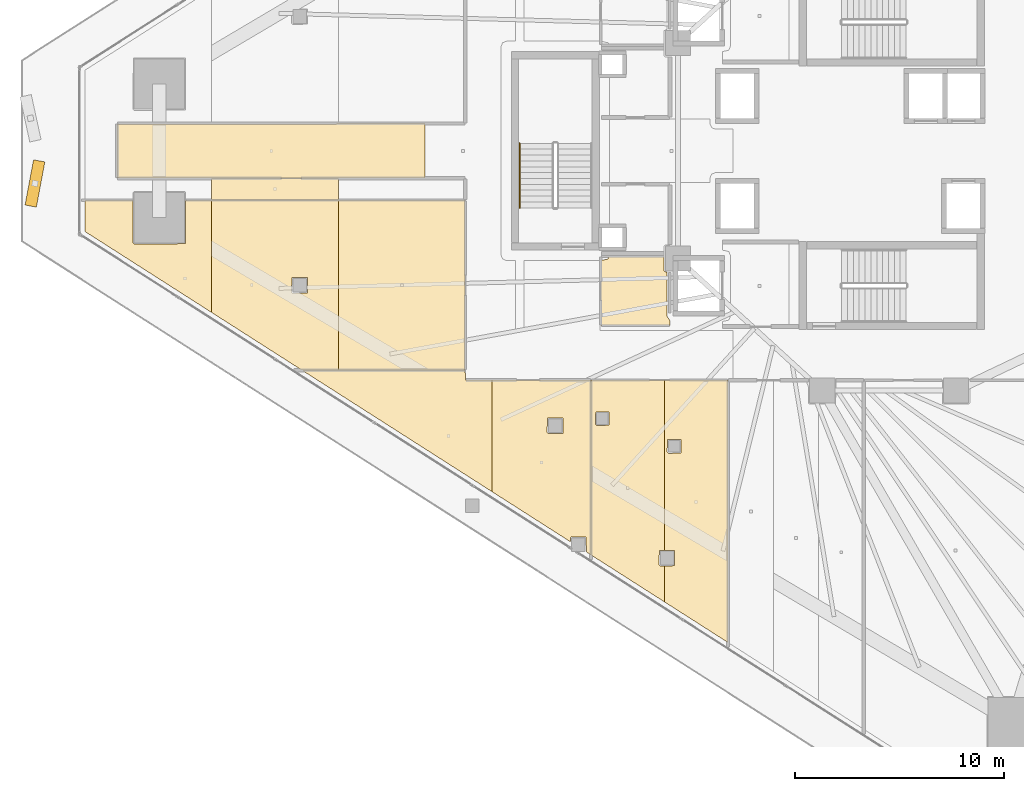
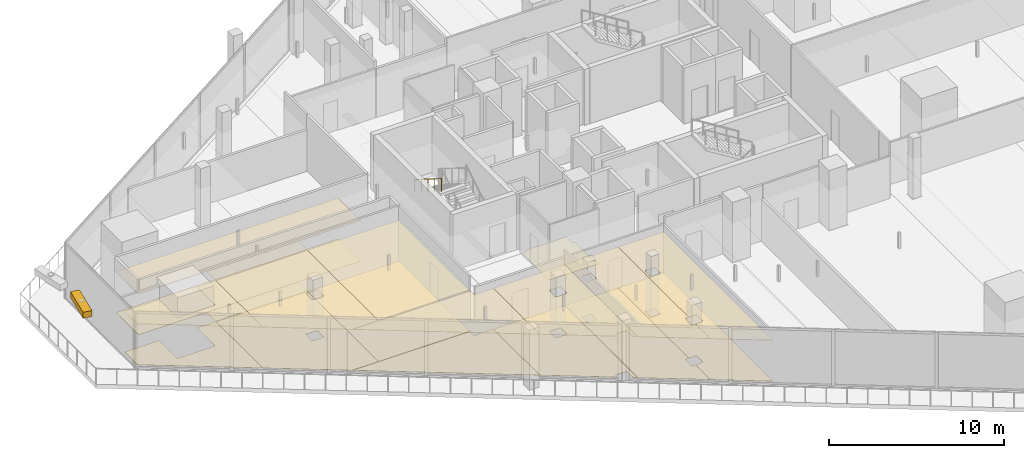
# One storey, part 39 of 47: 19 coverings, 1 railing, 1 shading device.
"""IFC4 building model written with IfcOpenShell, lengths in metres."""

from ifc_helpers import new_model, si_unit, direction, frame, origin, origin_2d, place, context, subcontext, project, spatial, polyline, rectangle, circle, outline, extrude, material, layer, layer_set, type_object, element, save


model = new_model("IFC4")

# Units and contexts
model_context = context("Model", 3, precision=1e-05, world=origin(), true_north=direction((0.0, 1.0)))
body_context = subcontext(model_context, "Body", "Model", "MODEL_VIEW")
ifc_project = project(units=[si_unit("LENGTHUNIT", "METRE"), si_unit("AREAUNIT", "SQUARE_METRE"), si_unit("VOLUMEUNIT", "CUBIC_METRE"), si_unit("PLANEANGLEUNIT", "RADIAN"), si_unit("MASSUNIT", "GRAM", prefix="KILO")], contexts=[model_context])

# Site, building, storey
site_placement = place(None, origin())
site = spatial("IfcSite", under=ifc_project, at=site_placement, CompositionType="ELEMENT")
building_placement = place(site_placement, origin())
building = spatial("IfcBuilding", under=site, at=building_placement, Name="Qorvath Tower", CompositionType="ELEMENT")
storey_placement = place(building_placement, frame((0.0, 0.0, 82.800048828125)))
storey = spatial("IfcBuildingStorey", under=building, at=storey_placement, Name="L18", CompositionType="ELEMENT", Elevation=82.800048828125)

# Coverings
ifc_material_1 = material(Name="Acoustic mineral fibre ceiling tile", Category="gypsum")
ifc_layer_1 = layer(ifc_material_1, 0.030029296875)
ifc_layer_set_1 = layer_set([ifc_layer_1], Name="COV-CEIL")
covering_type_1 = type_object("IfcCoveringType", Name="COV-CEIL", PredefinedType="CEILING", material=ifc_layer_set_1)
covering_1_placement = place(storey_placement, frame((0.0, 0.0, 2.849853515625)))
element("IfcCovering", 1, at=covering_1_placement, inside=storey, type_object=covering_type_1, Name="L18 Suspended Acoustic Ceiling 007", PredefinedType="CEILING", context=body_context, shape_type="SweptSolid", body=[
    extrude(outline(polyline([(-42.577880859375, -1.294921875), (-42.577880859375, 1.29638671875), (-57.289306640625, 1.294921875), (-57.289306640625, -1.294921875), (-42.577880859375, -1.294921875)])), origin(), (0.0, 0.0, 1.0), 0.030029296875),
])
covering_2_placement = place(storey_placement, frame((0.0, 0.0, 2.849853515625)))
element("IfcCovering", 2, at=covering_2_placement, inside=storey, type_object=covering_type_1, Name="L18 Suspended Acoustic Ceiling 019", PredefinedType="CEILING", context=body_context, shape_type="SweptSolid", body=[
    extrude(outline(polyline([(-34.64501953125, -10.962890625), (-34.64501953125, -19.31787109375), (-31.143798828125, -21.5556640625), (-31.143798828125, -19.84033203125), (-31.341064453125, -19.845458984375), (-31.401123046875, -19.785400390625), (-31.383544921875, -19.093017578125), (-31.143798828125, -19.093017578125), (-31.143798828125, -10.962890625), (-34.64501953125, -10.962890625)]), holes=[polyline([(-34.439208984375, -13.0673828125), (-34.421630859375, -12.47509765625), (-33.786865234375, -12.47509765625), (-33.786865234375, -13.10986328125), (-34.379150390625, -13.12744140625), (-34.439208984375, -13.0673828125)])]), origin(), (0.0, 0.0, 1.0), 0.030029296875),
])
covering_3_placement = place(storey_placement, frame((0.0, 0.0, 2.849853515625)))
element("IfcCovering", 3, at=covering_3_placement, inside=storey, type_object=covering_type_1, Name="L18 Suspended Acoustic Ceiling 020", PredefinedType="CEILING", context=body_context, shape_type="SweptSolid", body=[
    extrude(outline(polyline([(-31.143798828125, -10.962890625), (-31.143798828125, -19.093017578125), (-30.648681640625, -19.093017578125), (-30.648681640625, -19.827880859375), (-31.143798828125, -19.84033203125), (-31.143798828125, -21.5556640625), (-28.106689453125, -23.49658203125), (-28.106689453125, -10.962890625), (-31.143798828125, -10.962890625)]), holes=[polyline([(-31.01220703125, -14.3994140625), (-30.99462890625, -13.806884765625), (-30.35986328125, -13.806884765625), (-30.35986328125, -14.441650390625), (-30.9521484375, -14.459228515625), (-31.01220703125, -14.3994140625)])]), origin(), (0.0, 0.0, 1.0), 0.030029296875),
])
covering_4_placement = place(storey_placement, frame((0.0, 0.0, 2.849853515625)))
element("IfcCovering", 4, at=covering_4_placement, inside=storey, type_object=covering_type_1, Name="L18 Suspended Acoustic Ceiling 036", PredefinedType="CEILING", context=body_context, shape_type="SweptSolid", body=[
    extrude(outline(polyline([(-40.6630859375, -10.4990234375), (-48.443359375, -10.4990234375), (-39.3876953125, -16.28662109375), (-39.3876953125, -10.962890625), (-40.657958984375, -10.962890625), (-40.6630859375, -10.4990234375)])), origin(), (0.0, 0.0, 1.0), 0.030029296875),
])
covering_5_placement = place(storey_placement, frame((0.0, 0.0, 2.849853515625)))
element("IfcCovering", 5, at=covering_5_placement, inside=storey, type_object=covering_type_1, Name="L18 Suspended Acoustic Ceiling 037", PredefinedType="CEILING", context=body_context, shape_type="SweptSolid", body=[
    extrude(outline(polyline([(-39.3876953125, -10.962890625), (-39.3876953125, -16.28662109375), (-35.63671875, -18.68408203125), (-35.63671875, -18.50439453125), (-35.57666015625, -18.4443359375), (-34.88427734375, -18.4619140625), (-34.873779296875, -19.171630859375), (-34.6630859375, -19.306396484375), (-34.6630859375, -10.962890625), (-39.3876953125, -10.962890625)]), holes=[polyline([(-36.749755859375, -13.46044921875), (-36.732177734375, -12.76806640625), (-35.997314453125, -12.76806640625), (-35.997314453125, -13.5029296875), (-36.689697265625, -13.5205078125), (-36.749755859375, -13.46044921875)])]), origin(), (0.0, 0.0, 1.0), 0.030029296875),
])
covering_6_placement = place(storey_placement, frame((0.0, 0.0, 2.849853515625)))
element("IfcCovering", 6, at=covering_6_placement, inside=storey, type_object=covering_type_1, Name="L18 Suspended Acoustic Ceiling 038", PredefinedType="CEILING", context=body_context, shape_type="SweptSolid", body=[
    extrude(outline(polyline([(-56.54296875, -4.39453125), (-56.54296875, -2.36474609375), (-58.83935546875, -2.36474609375), (-58.83935546875, -3.8544921875), (-52.780517578125, -7.726806640625), (-52.780517578125, -2.36474609375), (-54.02294921875, -2.36474609375), (-54.04052734375, -4.43701171875), (-56.48291015625, -4.45458984375), (-56.54296875, -4.39453125)])), origin(), (0.0, 0.0, 1.0), 0.030029296875),
])
covering_7_placement = place(storey_placement, frame((0.0, 0.0, 2.849853515625)))
element("IfcCovering", 7, at=covering_7_placement, inside=storey, type_object=covering_type_1, Name="L18 Suspended Acoustic Ceiling 039", PredefinedType="CEILING", context=body_context, shape_type="SweptSolid", body=[
    extrude(outline(polyline([(-52.780517578125, -2.36474609375), (-52.780517578125, -7.726806640625), (-48.471435546875, -10.48095703125), (-46.7216796875, -10.48095703125), (-46.7216796875, -2.36474609375), (-52.780517578125, -2.36474609375)]), holes=[polyline([(-48.96337890625, -6.74951171875), (-48.94580078125, -6.05712890625), (-48.2109375, -6.05712890625), (-48.2109375, -6.7919921875), (-48.9033203125, -6.8095703125), (-48.96337890625, -6.74951171875)])]), origin(), (0.0, 0.0, 1.0), 0.030029296875),
])
covering_8_placement = place(storey_placement, frame((0.0, 0.0, 2.849853515625)))
element("IfcCovering", 8, at=covering_8_placement, inside=storey, type_object=covering_type_1, Name="L18 Suspended Acoustic Ceiling 040", PredefinedType="CEILING", context=body_context, shape_type="SweptSolid", body=[
    extrude(outline(polyline([(-46.7216796875, -2.36474609375), (-46.7216796875, -10.48095703125), (-40.6630859375, -10.48095703125), (-40.6630859375, -2.36474609375), (-46.7216796875, -2.36474609375)])), origin(), (0.0, 0.0, 1.0), 0.030029296875),
])
covering_9_placement = place(storey_placement, frame((0.0, 0.0, 2.849853515625)))
element("IfcCovering", 9, at=covering_9_placement, inside=storey, type_object=covering_type_1, Name="L18 Suspended Acoustic Ceiling 043", PredefinedType="CEILING", context=body_context, shape_type="SweptSolid", body=[
    extrude(outline(polyline([(-52.780517578125, -1.31298828125), (-52.780517578125, -2.3466796875), (-46.7216796875, -2.3466796875), (-46.7216796875, -1.31298828125), (-52.780517578125, -1.31298828125)])), origin(), (0.0, 0.0, 1.0), 0.030029296875),
])
ifc_material_2 = material(Name="Low-VOC modular carpet tile", Category="textile")
ifc_layer_2 = layer(ifc_material_2, 0.014892578125)
ifc_layer_set_2 = layer_set([ifc_layer_2], Name="COV-FLOOR-CPT")
covering_type_2 = type_object("IfcCoveringType", Name="COV-FLOOR-CPT", PredefinedType="FLOORING", material=ifc_layer_set_2)
covering_10_placement = place(storey_placement, origin())
element("IfcCovering", 10, at=covering_10_placement, inside=storey, type_object=covering_type_2, Name="L18 Floor Finish 019", PredefinedType="FLOORING", context=body_context, shape_type="SweptSolid", body=[
    extrude(outline(polyline([(-34.64501953125, -10.962890625), (-34.64501953125, -19.31787109375), (-31.143798828125, -21.5556640625), (-31.143798828125, -19.84033203125), (-31.341064453125, -19.845458984375), (-31.401123046875, -19.785400390625), (-31.383544921875, -19.093017578125), (-31.143798828125, -19.093017578125), (-31.143798828125, -10.962890625), (-34.64501953125, -10.962890625)]), holes=[polyline([(-34.439208984375, -13.0673828125), (-34.421630859375, -12.47509765625), (-33.786865234375, -12.47509765625), (-33.786865234375, -13.10986328125), (-34.379150390625, -13.12744140625), (-34.439208984375, -13.0673828125)])]), origin(), (0.0, 0.0, 1.0), 0.014892578125),
])
covering_11_placement = place(storey_placement, origin())
element("IfcCovering", 11, at=covering_11_placement, inside=storey, type_object=covering_type_2, Name="L18 Floor Finish 020", PredefinedType="FLOORING", context=body_context, shape_type="SweptSolid", body=[
    extrude(outline(polyline([(-31.143798828125, -10.962890625), (-31.143798828125, -19.093017578125), (-30.648681640625, -19.093017578125), (-30.648681640625, -19.827880859375), (-31.143798828125, -19.84033203125), (-31.143798828125, -21.5556640625), (-28.106689453125, -23.49658203125), (-28.106689453125, -10.962890625), (-31.143798828125, -10.962890625)]), holes=[polyline([(-31.01220703125, -14.3994140625), (-30.99462890625, -13.806884765625), (-30.35986328125, -13.806884765625), (-30.35986328125, -14.441650390625), (-30.9521484375, -14.459228515625), (-31.01220703125, -14.3994140625)])]), origin(), (0.0, 0.0, 1.0), 0.014892578125),
])
covering_12_placement = place(storey_placement, origin())
element("IfcCovering", 12, at=covering_12_placement, inside=storey, type_object=covering_type_2, Name="L18 Floor Finish 036", PredefinedType="FLOORING", context=body_context, shape_type="SweptSolid", body=[
    extrude(outline(polyline([(-40.6630859375, -10.4990234375), (-48.443359375, -10.4990234375), (-39.3876953125, -16.28662109375), (-39.3876953125, -10.962890625), (-40.657958984375, -10.962890625), (-40.6630859375, -10.4990234375)])), origin(), (0.0, 0.0, 1.0), 0.014892578125),
])
covering_13_placement = place(storey_placement, origin())
element("IfcCovering", 13, at=covering_13_placement, inside=storey, type_object=covering_type_2, Name="L18 Floor Finish 037", PredefinedType="FLOORING", context=body_context, shape_type="SweptSolid", body=[
    extrude(outline(polyline([(-39.3876953125, -10.962890625), (-39.3876953125, -16.28662109375), (-35.63671875, -18.68408203125), (-35.63671875, -18.50439453125), (-35.57666015625, -18.4443359375), (-34.88427734375, -18.4619140625), (-34.873779296875, -19.171630859375), (-34.6630859375, -19.306396484375), (-34.6630859375, -10.962890625), (-39.3876953125, -10.962890625)]), holes=[polyline([(-36.749755859375, -13.46044921875), (-36.732177734375, -12.76806640625), (-35.997314453125, -12.76806640625), (-35.997314453125, -13.5029296875), (-36.689697265625, -13.5205078125), (-36.749755859375, -13.46044921875)])]), origin(), (0.0, 0.0, 1.0), 0.014892578125),
])
covering_14_placement = place(storey_placement, origin())
element("IfcCovering", 14, at=covering_14_placement, inside=storey, type_object=covering_type_2, Name="L18 Floor Finish 038", PredefinedType="FLOORING", context=body_context, shape_type="SweptSolid", body=[
    extrude(outline(polyline([(-56.54296875, -4.39453125), (-56.54296875, -2.36474609375), (-58.83935546875, -2.36474609375), (-58.83935546875, -3.8544921875), (-52.780517578125, -7.726806640625), (-52.780517578125, -2.36474609375), (-54.02294921875, -2.36474609375), (-54.04052734375, -4.43701171875), (-56.48291015625, -4.45458984375), (-56.54296875, -4.39453125)])), origin(), (0.0, 0.0, 1.0), 0.014892578125),
])
covering_15_placement = place(storey_placement, origin())
element("IfcCovering", 15, at=covering_15_placement, inside=storey, type_object=covering_type_2, Name="L18 Floor Finish 039", PredefinedType="FLOORING", context=body_context, shape_type="SweptSolid", body=[
    extrude(outline(polyline([(-52.780517578125, -2.36474609375), (-52.780517578125, -7.726806640625), (-48.471435546875, -10.48095703125), (-46.7216796875, -10.48095703125), (-46.7216796875, -2.36474609375), (-52.780517578125, -2.36474609375)]), holes=[polyline([(-48.96337890625, -6.74951171875), (-48.94580078125, -6.05712890625), (-48.2109375, -6.05712890625), (-48.2109375, -6.7919921875), (-48.9033203125, -6.8095703125), (-48.96337890625, -6.74951171875)])]), origin(), (0.0, 0.0, 1.0), 0.014892578125),
])
covering_16_placement = place(storey_placement, origin())
element("IfcCovering", 16, at=covering_16_placement, inside=storey, type_object=covering_type_2, Name="L18 Floor Finish 040", PredefinedType="FLOORING", context=body_context, shape_type="SweptSolid", body=[
    extrude(outline(polyline([(-46.7216796875, -2.36474609375), (-46.7216796875, -10.48095703125), (-40.6630859375, -10.48095703125), (-40.6630859375, -2.36474609375), (-46.7216796875, -2.36474609375)])), origin(), (0.0, 0.0, 1.0), 0.014892578125),
])
covering_17_placement = place(storey_placement, origin())
element("IfcCovering", 17, at=covering_17_placement, inside=storey, type_object=covering_type_2, Name="L18 Floor Finish 043", PredefinedType="FLOORING", context=body_context, shape_type="SweptSolid", body=[
    extrude(outline(polyline([(-52.780517578125, -1.31298828125), (-52.780517578125, -2.3466796875), (-46.7216796875, -2.3466796875), (-46.7216796875, -1.31298828125), (-52.780517578125, -1.31298828125)])), origin(), (0.0, 0.0, 1.0), 0.014892578125),
])
ifc_material_3 = material(Name="Polished epoxy terrazzo flooring", Category="concrete")
ifc_layer_3 = layer(ifc_material_3, 0.02001953125)
ifc_layer_set_3 = layer_set([ifc_layer_3], Name="COV-FLOOR-TRZ")
covering_type_3 = type_object("IfcCoveringType", Name="COV-FLOOR-TRZ", PredefinedType="FLOORING", material=ifc_layer_set_3)
covering_18_placement = place(storey_placement, origin())
element("IfcCovering", 18, at=covering_18_placement, inside=storey, type_object=covering_type_3, Name="L18 Floor Finish 005", PredefinedType="FLOORING", context=body_context, shape_type="SweptSolid", body=[
    extrude(outline(polyline([(-31.159912109375, -5.054931640625), (-33.786865234375, -5.054931640625), (-33.833251953125, -5.166748046875), (-34.175048828125, -5.239990234375), (-34.175048828125, -8.344970703125), (-30.885009765625, -8.344970703125), (-30.885009765625, -8.108154296875), (-31.010009765625, -7.909912109375), (-31.010009765625, -5.81005859375), (-31.159912109375, -5.75), (-31.159912109375, -5.054931640625)])), origin(), (0.0, 0.0, 1.0), 0.014892578125),
])
covering_19_placement = place(storey_placement, origin())
element("IfcCovering", 19, at=covering_19_placement, inside=storey, type_object=covering_type_3, Name="L18 Floor Finish 007", PredefinedType="FLOORING", context=body_context, shape_type="SweptSolid", body=[
    extrude(outline(polyline([(-42.577880859375, -1.294921875), (-42.577880859375, 1.29638671875), (-57.289306640625, 1.294921875), (-57.289306640625, -1.294921875), (-42.577880859375, -1.294921875)])), origin(), (0.0, 0.0, 1.0), 0.014892578125),
])

# Railing
ifc_material_4 = material(Name="Brushed stainless steel AISI 304", Category="steel")
railing_type = type_object("IfcRailingType", Name="RL-STR-HND", PredefinedType="HANDRAIL", material=ifc_material_4)
railing_placement = place(storey_placement, frame((-38.06005859375, 0.360107421875, 2.27490234375)))
element("IfcRailing", 20, at=railing_placement, inside=storey, type_object=railing_type, Name="L18 TS3 stair handrail 2", PredefinedType="HANDRAIL", context=body_context, shape_type="SweptSolid", body=[
    extrude(circle(Radius=0.02392578125, at=origin_2d()), frame((0.0, 0.0, 0.8759765625), z_axis=(0.0, -0.847998304005, 0.529998940003), x_axis=(1.0, 0.0, 0.0)), (0.0, 0.0, 1.0), 3.632080078125),
    extrude(circle(Radius=0.02099609375, at=origin_2d()), origin(), (0.0, 0.0, 1.0), 0.851806640625),
    extrude(circle(Radius=0.02099609375, at=origin_2d()), frame((0.0, -0.77001953125, 0.481201171875)), (0.0, 0.0, 1.0), 0.851806640625),
    extrude(circle(Radius=0.02099609375, at=origin_2d()), frame((0.0, -1.5400390625, 0.96240234375)), (0.0, 0.0, 1.0), 0.851806640625),
    extrude(circle(Radius=0.02099609375, at=origin_2d()), frame((0.0, -2.31005859375, 1.44384765625)), (0.0, 0.0, 1.0), 0.851806640625),
    extrude(circle(Radius=0.02099609375, at=origin_2d()), frame((0.0, -3.080078125, 1.925048828125)), (0.0, 0.0, 1.0), 0.851806640625),
])

# Shading device
ifc_material_5 = material(Name="Anodised bronze-champagne aluminium", Category="aluminium")
shading_device_type = type_object("IfcShadingDeviceType", Name="SD-LOUVRE", PredefinedType="JALOUSIE", material=ifc_material_5)
shading_device_placement = place(storey_placement, frame((-61.228271484375, -1.557861328125, 3.5), z_axis=(0.0, 0.0, 1.0), x_axis=(-0.184644385337, -0.982805398318, 0.0)))
element("IfcShadingDevice", 21, at=shading_device_placement, inside=storey, type_object=shading_device_type, Name="Sinusoidal Wave Louvre Blade L18-02", PredefinedType="NOTDEFINED", context=body_context, shape_type="SweptSolid", body=[
    extrude(rectangle(XDim=2.199951171875, YDim=0.550048828125, at=origin_2d()), origin(), (0.0, 0.0, 1.0), 0.419921875),
])

save(model, "model.ifc")
